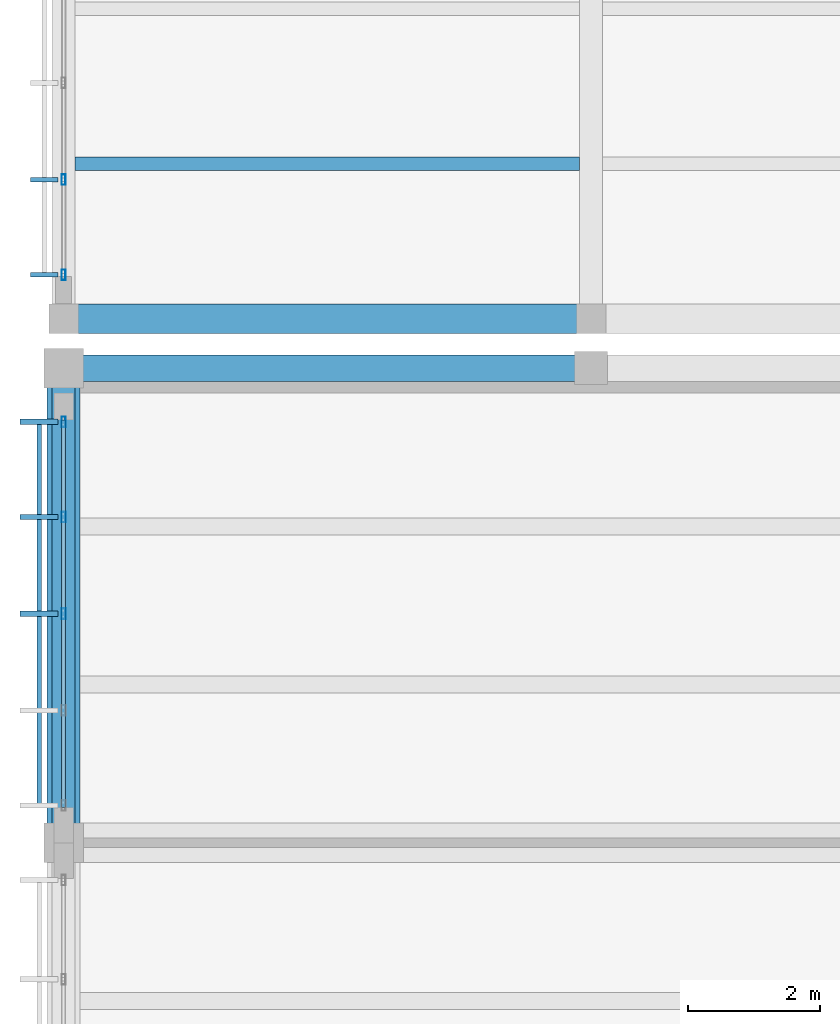
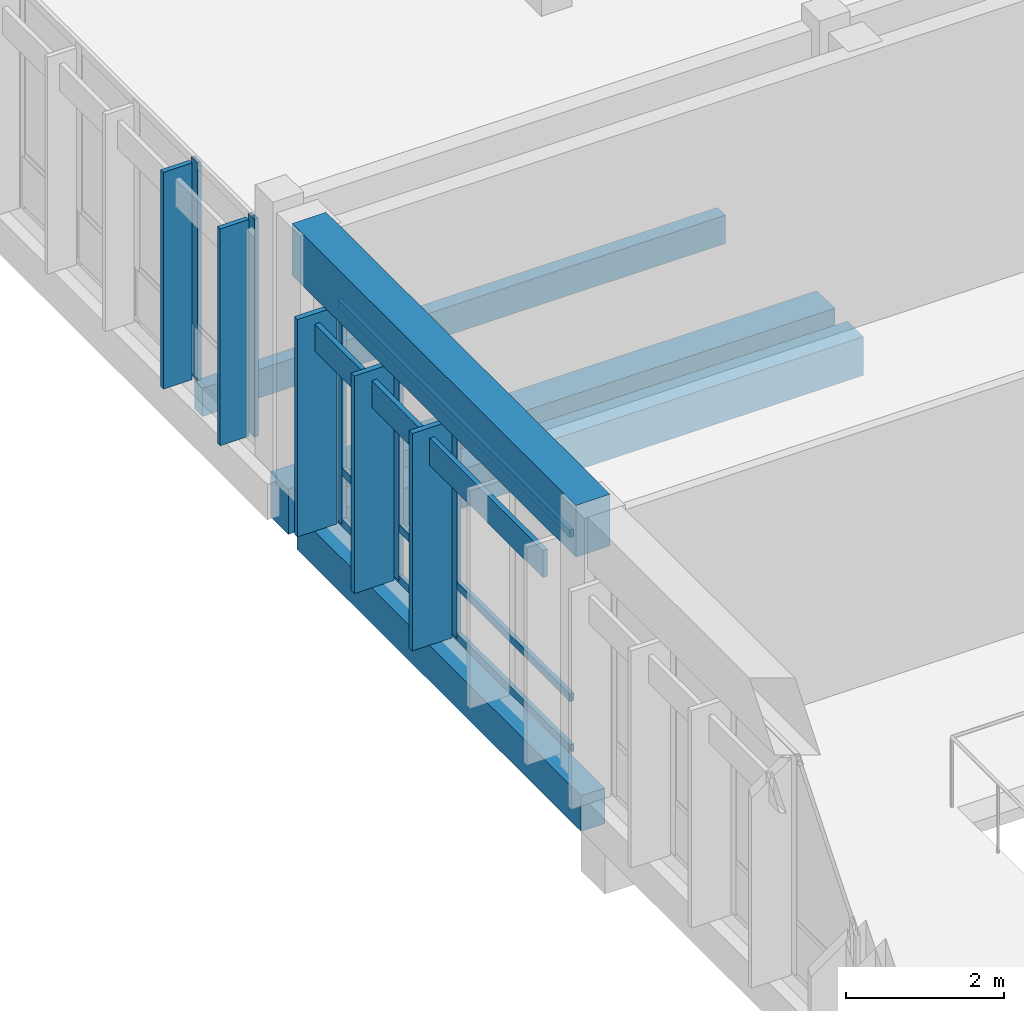
# One storey, part 33 of 182: 14 members, 5 beams, 2 elements without a shape of their own.
"""IFC4 building model written with IfcOpenShell, lengths in metres."""

from ifc_helpers import new_model, si_unit, direction, frame, origin, origin_2d, place, context, subcontext, project, spatial, rectangle, hollow_rectangle, extrude, material, material_profile, profile_set, type_object, element, aggregate, save


model = new_model("IFC4")

# Units and contexts
model_context = context("Model", 3, precision=1e-05, world=origin(), true_north=direction((0.0, 1.0)))
body_context = subcontext(model_context, "Body", "Model", "MODEL_VIEW")
ifc_project = project(units=[si_unit("LENGTHUNIT", "METRE"), si_unit("AREAUNIT", "SQUARE_METRE"), si_unit("VOLUMEUNIT", "CUBIC_METRE"), si_unit("PLANEANGLEUNIT", "RADIAN"), si_unit("MASSUNIT", "GRAM", prefix="KILO")], contexts=[model_context])

# Site, building, storey
site_placement = place(None, origin())
site = spatial("IfcSite", under=ifc_project, at=site_placement, CompositionType="ELEMENT")
building_placement = place(site_placement, origin())
building = spatial("IfcBuilding", under=site, at=building_placement, Name="Chiffa Square Polytechnic", CompositionType="ELEMENT")
storey_placement = place(building_placement, frame((0.0, 0.0, 9.60009765625)))
storey = spatial("IfcBuildingStorey", under=building, at=storey_placement, Name="L02", CompositionType="ELEMENT", Elevation=9.60009765625)

# Beams
ifc_material_1 = material(Name="Concrete C35/45", Category="concrete")
ifc_material_profile_1 = material_profile(ifc_material_1, rectangle(XDim=0.35009765625, YDim=0.550048828125, at=origin_2d()), Name="RC 350x550")
ifc_profile_set_1 = profile_set([ifc_material_profile_1], Name="Concrete C35/45")
beam_type_1 = type_object("IfcBeamType", Name="BM-RC-350X550", PredefinedType="BEAM", material=ifc_profile_set_1)
beam_1_placement = place(storey_placement, frame((0.0, 28.800048828125, -0.59521484375), z_axis=(0.0, 1.0, 0.0), x_axis=(-1.0, 0.0, 0.0)))
element("IfcBeam", 1, at=beam_1_placement, inside=storey, type_object=beam_type_1, Name="Primary floor girder BM-V3-L02-Y-0000-0288", PredefinedType="BEAM", context=body_context, shape_type="SweptSolid", body=[
    extrude(rectangle(XDim=0.35009765625, YDim=0.550048828125, at=origin_2d()), origin(), (0.0, 0.0, 1.0), 7.199951171875),
])
ifc_material_profile_2 = material_profile(ifc_material_1, rectangle(XDim=0.39990234375, YDim=0.60009765625, at=origin_2d()), Name="RC 400x600")
ifc_profile_set_2 = profile_set([ifc_material_profile_2], Name="Concrete C35/45")
beam_type_2 = type_object("IfcBeamType", Name="BM-RC-400X600", PredefinedType="BEAM", material=ifc_profile_set_2)
beam_2_placement = place(storey_placement, frame((0.0, 36.0, -0.6201171875), z_axis=(1.0, 0.0, 0.0), x_axis=(0.0, 1.0, 0.0)))
element("IfcBeam", 2, at=beam_2_placement, inside=storey, type_object=beam_type_2, Name="Primary floor girder BM-V3-L02-X-0000-0360", PredefinedType="BEAM", context=body_context, shape_type="SweptSolid", body=[
    extrude(rectangle(XDim=0.39990234375, YDim=0.60009765625, at=origin_2d()), origin(), (0.0, 0.0, 1.0), 8.0),
])
ifc_material_profile_3 = material_profile(ifc_material_1, rectangle(XDim=0.449951171875, YDim=0.699951171875, at=origin_2d()), Name="RC 450x700")
ifc_profile_set_3 = profile_set([ifc_material_profile_3], Name="Concrete C35/45")
beam_type_3 = type_object("IfcBeamType", Name="BM-RC-450X700", PredefinedType="BEAM", material=ifc_profile_set_3)
beam_3_placement = place(storey_placement, frame((0.0, 36.75, -0.670166015625), z_axis=(1.0, 0.0, 0.0), x_axis=(0.0, 1.0, 0.0)))
element("IfcBeam", 3, at=beam_3_placement, inside=storey, type_object=beam_type_3, Name="Primary floor girder BM-V6-L02-X-0000-0368", PredefinedType="BEAM", context=body_context, shape_type="SweptSolid", body=[
    extrude(rectangle(XDim=0.449951171875, YDim=0.699951171875, at=origin_2d()), origin(), (0.0, 0.0, 1.0), 8.0),
])
ifc_material_2 = material(Name="Concrete C40/50", Category="concrete")
ifc_material_profile_4 = material_profile(ifc_material_2, rectangle(XDim=0.5, YDim=0.800048828125, at=origin_2d()), Name="RC 500x800")
ifc_profile_set_4 = profile_set([ifc_material_profile_4], Name="Concrete C40/50")
beam_type_4 = type_object("IfcBeamType", Name="BM-RC-500X800", PredefinedType="BEAM", material=ifc_profile_set_4)
beam_4_placement = place(storey_placement, frame((0.0, 28.800048828125, 3.7998046875), z_axis=(0.0, 1.0, 0.0), x_axis=(-1.0, 0.0, 0.0)))
element("IfcBeam", 4, at=beam_4_placement, inside=storey, type_object=beam_type_4, Name="Lecture west eave ring beam BM-V3-EAVTIE-W5", PredefinedType="BEAM", context=body_context, shape_type="SweptSolid", body=[
    extrude(rectangle(XDim=0.5, YDim=0.800048828125, at=origin_2d()), origin(), (0.0, 0.0, 1.0), 7.199951171875),
])

# Curtain wall, members
ifc_material_3 = material(Name="Aluminium EN AW-6060 T66 and glulam shading", Category="wood")
curtain_wall_type_1 = type_object("IfcCurtainWallType", Name="CW-VERT-480X380", PredefinedType="USERDEFINED", material=ifc_material_3)
curtain_wall_1_placement = place(storey_placement, origin())
curtain_wall_1 = element("IfcCurtainWall", 5, at=curtain_wall_1_placement, inside=storey, type_object=curtain_wall_type_1, Name="Curtain wall CW-V3-L02-174", ObjectType="CURTAIN WALL", PredefinedType="USERDEFINED")
ifc_material_4 = material(Name="Aluminium EN AW-6060 T66", Category="aluminium")
ifc_material_profile_5 = material_profile(ifc_material_4, hollow_rectangle(XDim=0.06005859375, YDim=0.159912109375, WallThickness=0.00390625, at=origin_2d()), Name="ALU 60x160x4")
ifc_profile_set_5 = profile_set([ifc_material_profile_5], Name="Aluminium EN AW-6060 T66")
member_type_1 = type_object("IfcMemberType", Name="CWM-ALU-65X150", PredefinedType="MULLION", material=ifc_profile_set_5)
member_1_placement = place(storey_placement, frame((0.0, 35.18505859375, 0.0), z_axis=(0.0, 0.0, 1.0), x_axis=(1.0, 0.0, 0.0)))
member_1 = element("IfcMember", 6, at=member_1_placement, type_object=member_type_1, Name="Curtain wall mullion CW-V3-L02-174-M00", PredefinedType="MULLION", context=body_context, shape_type="SweptSolid", body=[
    extrude(hollow_rectangle(XDim=0.06005859375, YDim=0.159912109375, WallThickness=0.00390625, at=origin_2d()), origin(), (0.0, 0.0, 1.0), 3.385009765625),
])
member_2_placement = place(storey_placement, frame((0.0, 33.741943359375, 0.0), z_axis=(0.0, 0.0, 1.0), x_axis=(1.0, 0.0, 0.0)))
member_2 = element("IfcMember", 7, at=member_2_placement, type_object=member_type_1, Name="Curtain wall mullion CW-V3-L02-174-M01", PredefinedType="MULLION", context=body_context, shape_type="SweptSolid", body=[
    extrude(hollow_rectangle(XDim=0.06005859375, YDim=0.159912109375, WallThickness=0.00390625, at=origin_2d()), origin(), (0.0, 0.0, 1.0), 3.385009765625),
])
member_3_placement = place(storey_placement, frame((0.0, 32.27490234375, 0.0), z_axis=(0.0, 0.0, 1.0), x_axis=(1.0, 0.0, 0.0)))
member_3 = element("IfcMember", 8, at=member_3_placement, type_object=member_type_1, Name="Curtain wall mullion CW-V3-L02-174-M02", PredefinedType="MULLION", context=body_context, shape_type="SweptSolid", body=[
    extrude(hollow_rectangle(XDim=0.06005859375, YDim=0.159912109375, WallThickness=0.00390625, at=origin_2d()), origin(), (0.0, 0.0, 1.0), 3.385009765625),
])

curtain_wall_type_2 = type_object("IfcCurtainWallType", Name="CW-VERT-360X380", PredefinedType="USERDEFINED", material=ifc_material_3)
curtain_wall_2_placement = place(storey_placement, origin())
curtain_wall_2 = element("IfcCurtainWall", 9, at=curtain_wall_2_placement, inside=storey, type_object=curtain_wall_type_2, Name="Curtain wall CW-V6-L02-269", ObjectType="CURTAIN WALL", PredefinedType="USERDEFINED")
member_4_placement = place(storey_placement, frame((0.0, 38.85791015625, 0.0), z_axis=(0.0, 0.0, 1.0), x_axis=(1.0, 0.0, 0.0)))
member_4 = element("IfcMember", 10, at=member_4_placement, type_object=member_type_1, Name="Curtain wall mullion CW-V6-L02-269-M03", PredefinedType="MULLION", context=body_context, shape_type="SweptSolid", body=[
    extrude(hollow_rectangle(XDim=0.06005859375, YDim=0.159912109375, WallThickness=0.00390625, at=origin_2d()), origin(), (0.0, 0.0, 1.0), 3.375),
])
member_5_placement = place(storey_placement, frame((0.0, 37.4150390625, 0.0), z_axis=(0.0, 0.0, 1.0), x_axis=(1.0, 0.0, 0.0)))
member_5 = element("IfcMember", 11, at=member_5_placement, type_object=member_type_1, Name="Curtain wall mullion CW-V6-L02-269-M04", PredefinedType="MULLION", context=body_context, shape_type="SweptSolid", body=[
    extrude(hollow_rectangle(XDim=0.06005859375, YDim=0.159912109375, WallThickness=0.00390625, at=origin_2d()), origin(), (0.0, 0.0, 1.0), 3.375),
])
ifc_material_5 = material(Name="Glulam GL28h", Category="wood")
ifc_material_profile_6 = material_profile(ifc_material_5, rectangle(XDim=0.070068359375, YDim=0.419921875, at=origin_2d()), Name="GL28h 70x420")
ifc_profile_set_6 = profile_set([ifc_material_profile_6], Name="Glulam GL28h")
member_type_2 = type_object("IfcMemberType", Name="CWM-GL-70X420", PredefinedType="MULLION", material=ifc_profile_set_6)
member_6_placement = place(storey_placement, frame((-0.2919921875, 38.85791015625, 0.010009765625), z_axis=(0.0, 0.0, 1.0), x_axis=(0.0, -1.0, 0.0)))
member_6 = element("IfcMember", 12, at=member_6_placement, type_object=member_type_2, Name="Exterior glulam solar fin CW-V6-L02-269-FN03", PredefinedType="MULLION", context=body_context, shape_type="SweptSolid", body=[
    extrude(rectangle(XDim=0.070068359375, YDim=0.419921875, at=origin_2d()), origin(), (0.0, 0.0, 1.0), 3.35498046875),
])
member_7_placement = place(storey_placement, frame((-0.2919921875, 37.4150390625, 0.010009765625), z_axis=(0.0, 0.0, 1.0), x_axis=(0.0, -1.0, 0.0)))
member_7 = element("IfcMember", 13, at=member_7_placement, type_object=member_type_2, Name="Exterior glulam solar fin CW-V6-L02-269-FN04", PredefinedType="MULLION", context=body_context, shape_type="SweptSolid", body=[
    extrude(rectangle(XDim=0.070068359375, YDim=0.419921875, at=origin_2d()), origin(), (0.0, 0.0, 1.0), 3.35498046875),
])
aggregate(curtain_wall_2, [member_4, member_6, member_5, member_7])

# Member
ifc_material_profile_7 = material_profile(ifc_material_5, rectangle(XDim=0.080078125, YDim=0.580078125, at=origin_2d()), Name="GL28h 80x580")
ifc_profile_set_7 = profile_set([ifc_material_profile_7], Name="Glulam GL28h")
member_type_3 = type_object("IfcMemberType", Name="CWM-GL-80X580", PredefinedType="MULLION", material=ifc_profile_set_7)
member_8_placement = place(storey_placement, frame((-0.3720703125, 35.18505859375, 0.010009765625), z_axis=(0.0, 0.0, 1.0), x_axis=(0.0, -1.0, 0.0)))
member_8 = element("IfcMember", 14, at=member_8_placement, type_object=member_type_3, Name="Exterior glulam solar fin CW-V3-L02-174-FN00", PredefinedType="MULLION", context=body_context, shape_type="SweptSolid", body=[
    extrude(rectangle(XDim=0.080078125, YDim=0.580078125, at=origin_2d()), origin(), (0.0, 0.0, 1.0), 3.364990234375),
])

member_9_placement = place(storey_placement, frame((-0.3720703125, 33.741943359375, 0.010009765625), z_axis=(0.0, 0.0, 1.0), x_axis=(0.0, -1.0, 0.0)))
member_9 = element("IfcMember", 15, at=member_9_placement, type_object=member_type_3, Name="Exterior glulam solar fin CW-V3-L02-174-FN01", PredefinedType="MULLION", context=body_context, shape_type="SweptSolid", body=[
    extrude(rectangle(XDim=0.080078125, YDim=0.580078125, at=origin_2d()), origin(), (0.0, 0.0, 1.0), 3.364990234375),
])

member_10_placement = place(storey_placement, frame((-0.3720703125, 32.27490234375, 0.010009765625), z_axis=(0.0, 0.0, 1.0), x_axis=(0.0, -1.0, 0.0)))
member_10 = element("IfcMember", 16, at=member_10_placement, type_object=member_type_3, Name="Exterior glulam solar fin CW-V3-L02-174-FN02", PredefinedType="MULLION", context=body_context, shape_type="SweptSolid", body=[
    extrude(rectangle(XDim=0.080078125, YDim=0.580078125, at=origin_2d()), origin(), (0.0, 0.0, 1.0), 3.364990234375),
])

ifc_material_profile_8 = material_profile(ifc_material_4, hollow_rectangle(XDim=0.06005859375, YDim=0.1201171875, WallThickness=0.00390625, at=origin_2d()), Name="ALU 60x120x4")
ifc_profile_set_8 = profile_set([ifc_material_profile_8], Name="Aluminium EN AW-6060 T66")
member_type_4 = type_object("IfcMemberType", Name="CWT-ALU-65X120", PredefinedType="USERDEFINED", material=ifc_profile_set_8)
member_11_placement = place(storey_placement, frame((0.0, 35.2119140625, 0.02978515625), z_axis=(0.0, -1.0, 0.0), x_axis=(1.0, 0.0, 0.0)))
member_11 = element("IfcMember", 17, at=member_11_placement, type_object=member_type_4, Name="Curtain wall transom CW-V3-L02-174-T01", ObjectType="TRANSOM", PredefinedType="USERDEFINED", context=body_context, shape_type="SweptSolid", body=[
    extrude(hollow_rectangle(XDim=0.06005859375, YDim=0.1201171875, WallThickness=0.00390625, at=origin_2d()), origin(), (0.0, 0.0, 1.0), 5.8740234375),
])

member_12_placement = place(storey_placement, frame((0.0, 35.2119140625, 0.81982421875), z_axis=(0.0, -1.0, 0.0), x_axis=(1.0, 0.0, 0.0)))
member_12 = element("IfcMember", 18, at=member_12_placement, type_object=member_type_4, Name="Curtain wall transom CW-V3-L02-174-T02", ObjectType="TRANSOM", PredefinedType="USERDEFINED", context=body_context, shape_type="SweptSolid", body=[
    extrude(hollow_rectangle(XDim=0.06005859375, YDim=0.1201171875, WallThickness=0.00390625, at=origin_2d()), origin(), (0.0, 0.0, 1.0), 5.8740234375),
])

member_13_placement = place(storey_placement, frame((0.0, 35.2119140625, 3.35498046875), z_axis=(0.0, -1.0, 0.0), x_axis=(1.0, 0.0, 0.0)))
member_13 = element("IfcMember", 19, at=member_13_placement, type_object=member_type_4, Name="Curtain wall transom CW-V3-L02-174-T03", ObjectType="TRANSOM", PredefinedType="USERDEFINED", context=body_context, shape_type="SweptSolid", body=[
    extrude(hollow_rectangle(XDim=0.06005859375, YDim=0.1201171875, WallThickness=0.00390625, at=origin_2d()), origin(), (0.0, 0.0, 1.0), 5.8740234375),
])

ifc_material_profile_9 = material_profile(ifc_material_5, rectangle(XDim=0.070068359375, YDim=0.419921875, at=origin_2d()), Name="GL28h 70x420")
ifc_profile_set_9 = profile_set([ifc_material_profile_9], Name="Glulam GL28h")
member_type_5 = type_object("IfcMemberType", Name="CWT-GL-70X420", PredefinedType="USERDEFINED", material=ifc_profile_set_9)
member_14_placement = place(storey_placement, frame((-0.3720703125, 35.18505859375, 3.0048828125), z_axis=(0.0, -1.0, 0.0), x_axis=(1.0, 0.0, 0.0)))
member_14 = element("IfcMember", 20, at=member_14_placement, type_object=member_type_5, Name="Exterior glulam brise-soleil CW-V3-L02-174-BS01", ObjectType="TRANSOM", PredefinedType="USERDEFINED", context=body_context, shape_type="SweptSolid", body=[
    extrude(rectangle(XDim=0.070068359375, YDim=0.419921875, at=origin_2d()), origin(), (0.0, 0.0, 1.0), 5.820068359375),
])

aggregate(curtain_wall_1, [member_1, member_8, member_2, member_9, member_3, member_10, member_11, member_12, member_13, member_14])

# Beam
ifc_material_profile_10 = material_profile(ifc_material_5, rectangle(XDim=0.199951171875, YDim=0.43994140625, at=origin_2d()), Name="GL28h 200x440")
ifc_profile_set_10 = profile_set([ifc_material_profile_10], Name="Glulam GL28h")
beam_type_5 = type_object("IfcBeamType", Name="JST-GL-200X440", PredefinedType="JOIST", material=ifc_profile_set_10)
beam_5_placement = place(storey_placement, frame((0.173095703125, 39.10009765625, -0.5400390625), z_axis=(1.0, 0.0, 0.0), x_axis=(0.0, 1.0, 0.0)))
element("IfcBeam", 21, at=beam_5_placement, inside=storey, type_object=beam_type_5, Name="Secondary floor joist JST-V6-L02-0000-0391", PredefinedType="JOIST", context=body_context, shape_type="SweptSolid", body=[
    extrude(rectangle(XDim=0.199951171875, YDim=0.43994140625, at=origin_2d()), origin(), (0.0, 0.0, 1.0), 7.65380859375),
])

save(model, "model.ifc")
